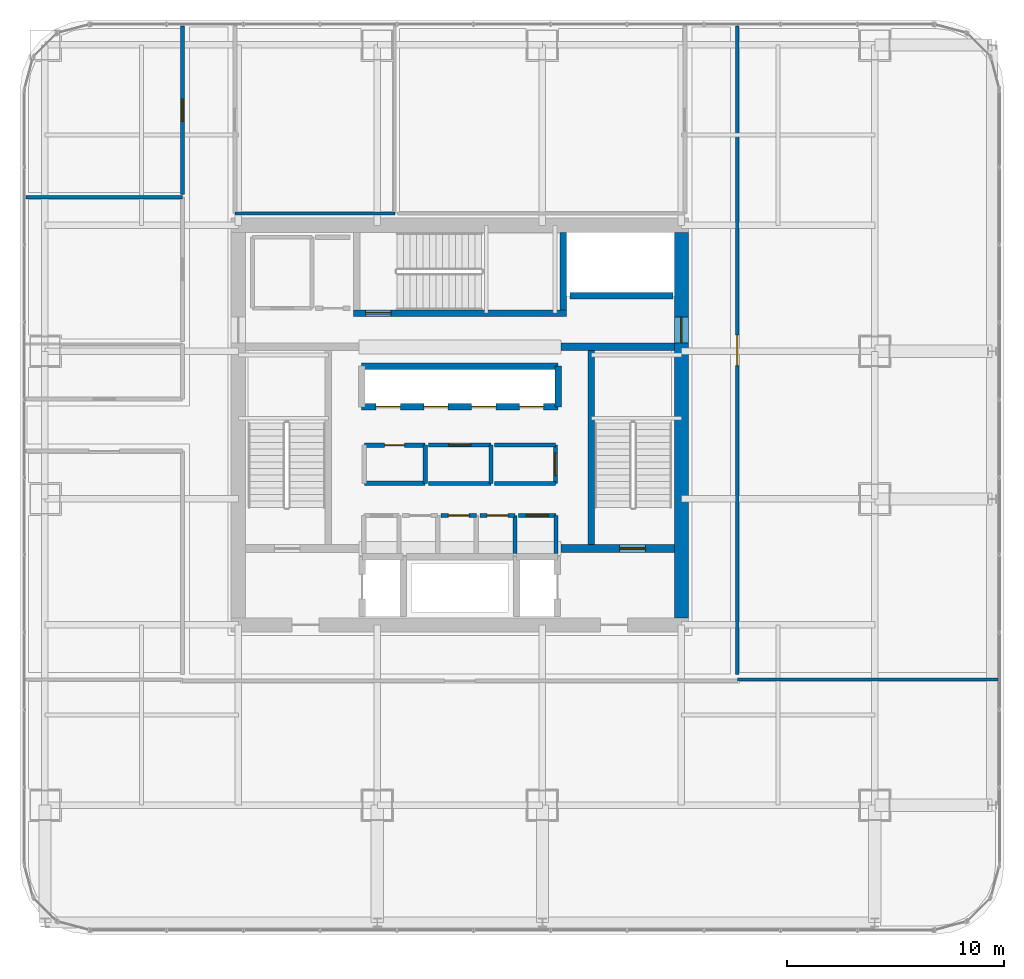
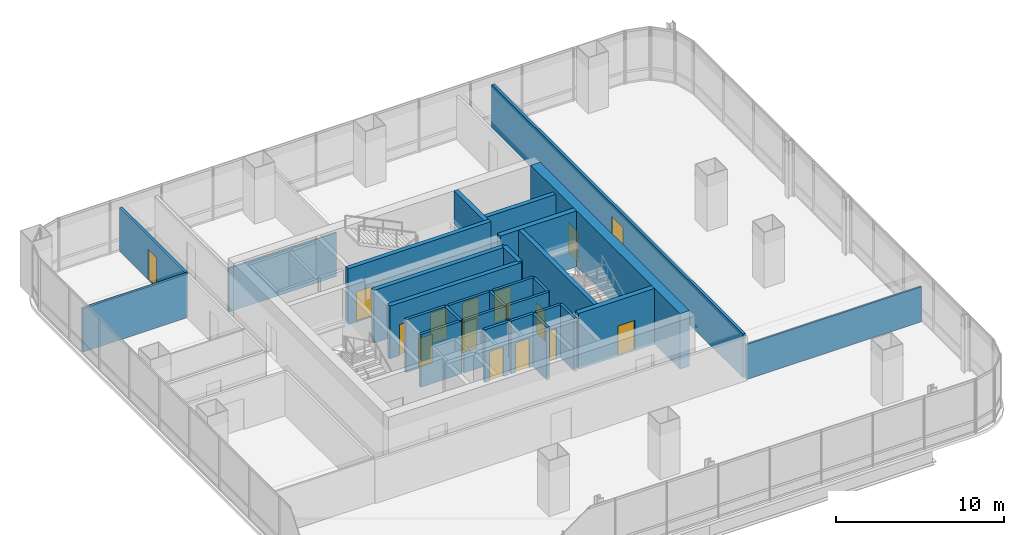
# One storey, part 30 of 36: 29 walls, 15 doors, 15 openings.
"""IFC4 building model written with IfcOpenShell, lengths in metres."""

from ifc_helpers import new_model, si_unit, direction, frame, frame_2d, origin, place, context, subcontext, project, spatial, rectangle, extrude, material, layer, layer_set, type_object, element, fill, save


model = new_model("IFC4")

# Units and contexts
model_context = context("Model", 3, precision=1e-05, world=origin(), true_north=direction((0.0, 1.0)))
body_context = subcontext(model_context, "Body", "Model", "MODEL_VIEW")
ifc_project = project(units=[si_unit("LENGTHUNIT", "METRE"), si_unit("AREAUNIT", "SQUARE_METRE"), si_unit("VOLUMEUNIT", "CUBIC_METRE"), si_unit("PLANEANGLEUNIT", "RADIAN"), si_unit("MASSUNIT", "GRAM", prefix="KILO")], contexts=[model_context])

# Site, building, storey
site_placement = place(None, origin())
site = spatial("IfcSite", under=ifc_project, at=site_placement, CompositionType="ELEMENT")
building_placement = place(site_placement, origin())
building = spatial("IfcBuilding", under=site, at=building_placement, Name="Punatoya Terracotta Tower", CompositionType="ELEMENT")
storey_placement = place(building_placement, frame((0.0, 0.0, 212.699951171875)))
storey = spatial("IfcBuildingStorey", under=building, at=storey_placement, Name="L50", CompositionType="ELEMENT", Elevation=212.699951171875)

# Wall, opening, door
ifc_material_1 = material(Name="Concrete C60/75", Category="concrete")
ifc_layer_1 = layer(ifc_material_1, 0.64990234375)
ifc_layer_set_1 = layer_set([ifc_layer_1], Name="Concrete C60/75")
wall_type_1 = type_object("IfcWallType", Name="WL-COR-650", PredefinedType="SHEAR", material=ifc_layer_set_1)
wall_1_placement = place(storey_placement, frame((10.199951171875, 8.875, 0.0), z_axis=(0.0, 0.0, 1.0), x_axis=(0.0, -1.0, 0.0)))
wall_1 = element("IfcWall", 1, at=wall_1_placement, inside=storey, type_object=wall_type_1, Name="L50 Core Shear Wall E", PredefinedType="SHEAR", context=body_context, shape_type="SweptSolid", body=[
    extrude(rectangle(XDim=17.75, YDim=0.64990234375, at=frame_2d((8.875, 0.0))), origin(), (0.0, 0.0, 1.0), 4.050048828125),
])
opening_1_placement = place(wall_1_placement, frame((3.905029296875, 0.0, 0.0)))
opening_1 = element("IfcOpeningElement", 2, at=opening_1_placement, cuts=wall_1, Name="Opening SD-01", PredefinedType="OPENING", context=body_context, shape_type="SweptSolid", body=[
    extrude(rectangle(XDim=1.179931640625, YDim=2.199951171875, at=frame_2d((0.58984375, 1.10009765625))), frame((0.0, 0.3349609375, 0.0), z_axis=(0.0, -1.0, 0.0), x_axis=(1.0, 0.0, 0.0)), (0.0, 0.0, 1.0), 0.669921875),
])
ifc_material_2 = material(Name="Galvanised Steel Pressurized Stair Fire Door", Category="steel")
door_type_1 = type_object("IfcDoorType", Name="DR-STR-1180", OperationType="NOTDEFINED", PredefinedType="DOOR", material=ifc_material_2)
door_1_placement = place(opening_1_placement, origin())
door_1 = element("IfcDoor", 3, at=door_1_placement, inside=storey, type_object=door_type_1, Name="L50 Central Lift Lobby East Fire Door", OperationType="SINGLE_SWING_RIGHT", OverallHeight=2.199951171875, OverallWidth=1.179931640625, PredefinedType="DOOR", context=body_context, shape_type="SweptSolid", body=[
    extrude(rectangle(XDim=1.179931640625, YDim=2.199951171875, at=frame_2d((0.58984375, 1.10009765625))), frame((0.0, 0.02490234375, 0.0), z_axis=(0.0, -1.0, 0.0), x_axis=(1.0, 0.0, 0.0)), (0.0, 0.0, 1.0), 0.050048828125),
])
fill(opening_1, door_1)

# Wall
ifc_material_3 = material(Name="Gypsum Fireboard + Steel Stud", Category="steel")
ifc_layer_2 = layer(ifc_material_3, 0.179931640625)
ifc_layer_set_2 = layer_set([ifc_layer_2], Name="Gypsum Fireboard + Steel Stud")
wall_type_2 = type_object("IfcWallType", Name="WL-CORR-180", PredefinedType="PARTITIONING", material=ifc_layer_set_2)
wall_2_placement = place(storey_placement, frame((4.419921875, -5.89990234375, 0.0), z_axis=(0.0, 0.0, 1.0), x_axis=(0.0, 1.0, 0.0)))
element("IfcWall", 4, at=wall_2_placement, inside=storey, type_object=wall_type_2, Name="L50 Core Focus Booth Partition 10", PredefinedType="PARTITIONING", context=body_context, shape_type="SweptSolid", body=[
    extrude(rectangle(XDim=1.739990234375, YDim=0.179931640625, at=frame_2d((0.8701171875, 0.0))), origin(), (0.0, 0.0, 1.0), 3.830078125),
])

# Wall, opening, door
wall_3_placement = place(storey_placement, frame((4.419921875, -4.159912109375, 0.0), z_axis=(0.0, 0.0, 1.0), x_axis=(-1.0, 0.0, 0.0)))
wall_3 = element("IfcWall", 5, at=wall_3_placement, inside=storey, type_object=wall_type_2, Name="L50 Core Focus Booth Partition 11", PredefinedType="PARTITIONING", context=body_context, shape_type="SweptSolid", body=[
    extrude(rectangle(XDim=1.719970703125, YDim=0.179931640625, at=frame_2d((0.85986328125, 0.0))), origin(), (0.0, 0.0, 1.0), 3.830078125),
])
opening_2_placement = place(wall_3_placement, frame((0.35009765625, 0.0, 0.0)))
opening_2 = element("IfcOpeningElement", 6, at=opening_2_placement, cuts=wall_3, Name="Opening MD-01", PredefinedType="OPENING", context=body_context, shape_type="SweptSolid", body=[
    extrude(rectangle(XDim=1.02001953125, YDim=2.199951171875, at=frame_2d((0.510009765625, 1.10009765625))), frame((0.0, 0.099853515625, 0.0), z_axis=(0.0, -1.0, 0.0), x_axis=(1.0, 0.0, 0.0)), (0.0, 0.0, 1.0), 0.199951171875),
])
ifc_material_4 = material(Name="Aluminium + Acoustic Glass Leaf", Category="aluminium")
door_type_2 = type_object("IfcDoorType", Name="DR-MTG-1020", OperationType="NOTDEFINED", PredefinedType="DOOR", material=ifc_material_4)
door_2_placement = place(opening_2_placement, origin())
door_2 = element("IfcDoor", 7, at=door_2_placement, inside=storey, type_object=door_type_2, Name="L50 Focus Booth Door", OperationType="SINGLE_SWING_RIGHT", OverallHeight=2.199951171875, OverallWidth=1.02001953125, PredefinedType="DOOR", context=body_context, shape_type="SweptSolid", body=[
    extrude(rectangle(XDim=1.02001953125, YDim=2.199951171875, at=frame_2d((0.510009765625, 1.10009765625))), frame((0.0, 0.02490234375, 0.0), z_axis=(0.0, -1.0, 0.0), x_axis=(1.0, 0.0, 0.0)), (0.0, 0.0, 1.0), 0.050048828125),
])
fill(opening_2, door_2)

# Wall
wall_4_placement = place(storey_placement, frame((1.43994140625, -2.679931640625, 0.0), z_axis=(0.0, 0.0, 1.0), x_axis=(0.0, 1.0, 0.0)))
element("IfcWall", 8, at=wall_4_placement, inside=storey, type_object=wall_type_2, Name="L50 Center Core Briefing Pod Partition 16", PredefinedType="PARTITIONING", context=body_context, shape_type="SweptSolid", body=[
    extrude(rectangle(XDim=1.760009765625, YDim=0.179931640625, at=frame_2d((0.8798828125, 0.0))), origin(), (0.0, 0.0, 1.0), 3.830078125),
])

# Wall, opening, door
wall_5_placement = place(storey_placement, frame((1.43994140625, -0.919921875, 0.0), z_axis=(0.0, 0.0, 1.0), x_axis=(-1.0, 0.0, 0.0)))
wall_5 = element("IfcWall", 9, at=wall_5_placement, inside=storey, type_object=wall_type_2, Name="L50 Center Core Briefing Pod Partition 17", PredefinedType="PARTITIONING", context=body_context, shape_type="SweptSolid", body=[
    extrude(rectangle(XDim=2.8798828125, YDim=0.179931640625, at=frame_2d((1.43994140625, 0.0))), origin(), (0.0, 0.0, 1.0), 3.830078125),
])
opening_3_placement = place(wall_5_placement, frame((0.929931640625, 0.0, 0.0)))
opening_3 = element("IfcOpeningElement", 10, at=opening_3_placement, cuts=wall_5, Name="Opening MD-01", PredefinedType="OPENING", context=body_context, shape_type="SweptSolid", body=[
    extrude(rectangle(XDim=1.02001953125, YDim=2.199951171875, at=frame_2d((0.510009765625, 1.10009765625))), frame((0.0, 0.099853515625, 0.0), z_axis=(0.0, -1.0, 0.0), x_axis=(1.0, 0.0, 0.0)), (0.0, 0.0, 1.0), 0.199951171875),
])
door_3_placement = place(opening_3_placement, origin())
door_3 = element("IfcDoor", 11, at=door_3_placement, inside=storey, type_object=door_type_2, Name="L50 Center Briefing Pod Door", OperationType="SINGLE_SWING_RIGHT", OverallHeight=2.199951171875, OverallWidth=1.02001953125, PredefinedType="DOOR", context=body_context, shape_type="SweptSolid", body=[
    extrude(rectangle(XDim=1.02001953125, YDim=2.199951171875, at=frame_2d((0.510009765625, 1.10009765625))), frame((0.0, 0.02490234375, 0.0), z_axis=(0.0, -1.0, 0.0), x_axis=(1.0, 0.0, 0.0)), (0.0, 0.0, 1.0), 0.050048828125),
])
fill(opening_3, door_3)

# Wall
wall_6_placement = place(storey_placement, frame((-1.43994140625, -2.679931640625, 0.0), z_axis=(0.0, 0.0, 1.0), x_axis=(1.0, 0.0, 0.0)))
element("IfcWall", 12, at=wall_6_placement, inside=storey, type_object=wall_type_2, Name="L50 Center Core Briefing Pod Partition 18", PredefinedType="PARTITIONING", context=body_context, shape_type="SweptSolid", body=[
    extrude(rectangle(XDim=2.8798828125, YDim=0.179931640625, at=frame_2d((1.43994140625, 0.0))), origin(), (0.0, 0.0, 1.0), 3.830078125),
])

# Wall, opening, door
wall_7_placement = place(storey_placement, frame((4.39990234375, -2.679931640625, 0.0), z_axis=(0.0, 0.0, 1.0), x_axis=(0.0, 1.0, 0.0)))
wall_7 = element("IfcWall", 13, at=wall_7_placement, inside=storey, type_object=wall_type_2, Name="L50 Right Core Copy Room Partition 19", PredefinedType="PARTITIONING", context=body_context, shape_type="SweptSolid", body=[
    extrude(rectangle(XDim=1.760009765625, YDim=0.179931640625, at=frame_2d((0.8798828125, 0.0))), origin(), (0.0, 0.0, 1.0), 3.830078125),
])
opening_4_placement = place(wall_7_placement, frame((0.35498046875, 0.0, 0.0)))
opening_4 = element("IfcOpeningElement", 14, at=opening_4_placement, cuts=wall_7, Name="Opening OD-01", PredefinedType="OPENING", context=body_context, shape_type="SweptSolid", body=[
    extrude(rectangle(XDim=1.050048828125, YDim=2.199951171875, at=frame_2d((0.52490234375, 1.10009765625))), frame((0.0, 0.099853515625, 0.0), z_axis=(0.0, -1.0, 0.0), x_axis=(1.0, 0.0, 0.0)), (0.0, 0.0, 1.0), 0.199951171875),
])
ifc_material_5 = material(Name="Bengal Teak Solid-Core Leaf")
door_type_3 = type_object("IfcDoorType", Name="DR-OFF-1050", OperationType="NOTDEFINED", PredefinedType="DOOR", material=ifc_material_5)
door_4_placement = place(opening_4_placement, origin())
door_4 = element("IfcDoor", 15, at=door_4_placement, inside=storey, type_object=door_type_3, Name="L50 Right Copy Room Door", OperationType="SINGLE_SWING_LEFT", OverallHeight=2.199951171875, OverallWidth=1.050048828125, PredefinedType="DOOR", context=body_context, shape_type="SweptSolid", body=[
    extrude(rectangle(XDim=1.050048828125, YDim=2.199951171875, at=frame_2d((0.52490234375, 1.10009765625))), frame((0.0, 0.02490234375, 0.0), z_axis=(0.0, -1.0, 0.0), x_axis=(1.0, 0.0, 0.0)), (0.0, 0.0, 1.0), 0.050048828125),
])
fill(opening_4, door_4)

# Walls
for number, where, z_axis, x_axis, name in (
    (16, (4.39990234375, -0.919921875, 0.0), (0.0, 0.0, 1.0), (-1.0, 0.0, 0.0), "L50 Right Core Copy Room Partition 20"),
    (17, (1.60009765625, -2.679931640625, 0.0), (0.0, 0.0, 1.0), (1.0, 0.0, 0.0), "L50 Right Core Copy Room Partition 21"),
):
    element("IfcWall", number, at=place(storey_placement, frame(where, z_axis=z_axis, x_axis=x_axis)), inside=storey, type_object=wall_type_2, Name=name, PredefinedType="PARTITIONING", context=body_context, shape_type="SweptSolid", body=[
        extrude(rectangle(XDim=2.7998046875, YDim=0.179931640625, at=frame_2d((1.39990234375, 0.0))), origin(), (0.0, 0.0, 1.0), 3.830078125),
    ])

# Wall, opening, door
wall_8_placement = place(storey_placement, frame((12.77001953125, -11.489990234375, 0.0), z_axis=(0.0, 0.0, 1.0), x_axis=(0.0, 1.0, 0.0)))
wall_8 = element("IfcWall", 18, at=wall_8_placement, inside=storey, type_object=wall_type_2, Name="L50 Executive Briefing Room Partition 36", PredefinedType="PARTITIONING", context=body_context, shape_type="SweptSolid", body=[
    extrude(rectangle(XDim=29.860107421875, YDim=0.179931640625, at=frame_2d((14.93017578125, 0.0))), origin(), (0.0, 0.0, 1.0), 3.174072265625),
])
opening_5_placement = place(wall_8_placement, frame((14.22998046875, 0.0, 0.0)))
opening_5 = element("IfcOpeningElement", 19, at=opening_5_placement, cuts=wall_8, Name="Opening BD-01", PredefinedType="OPENING", context=body_context, shape_type="SweptSolid", body=[
    extrude(rectangle(XDim=1.39990234375, YDim=2.25, at=frame_2d((0.699951171875, 1.125))), frame((0.0, 0.099853515625, 0.0), z_axis=(0.0, -1.0, 0.0), x_axis=(1.0, 0.0, 0.0)), (0.0, 0.0, 1.0), 0.199951171875),
])
ifc_material_6 = material(Name="Bengal Teak Acoustic Leaf")
door_type_4 = type_object("IfcDoorType", Name="DR-BRD-1400", OperationType="NOTDEFINED", PredefinedType="DOOR", material=ifc_material_6)
door_5_placement = place(opening_5_placement, origin())
door_5 = element("IfcDoor", 20, at=door_5_placement, inside=storey, type_object=door_type_4, Name="L50 Executive Briefing Room Door", OperationType="SINGLE_SWING_LEFT", OverallHeight=2.25, OverallWidth=1.39990234375, PredefinedType="DOOR", context=body_context, shape_type="SweptSolid", body=[
    extrude(rectangle(XDim=1.39990234375, YDim=2.25, at=frame_2d((0.699951171875, 1.125))), frame((0.0, 0.02490234375, 0.0), z_axis=(0.0, -1.0, 0.0), x_axis=(1.0, 0.0, 0.0)), (0.0, 0.0, 1.0), 0.050048828125),
])
fill(opening_5, door_5)

wall_9_placement = place(storey_placement, frame((-12.77001953125, 18.3701171875, 0.0), z_axis=(0.0, 0.0, 1.0), x_axis=(0.0, -1.0, 0.0)))
wall_9 = element("IfcWall", 21, at=wall_9_placement, inside=storey, type_object=wall_type_2, Name="L50 Open-Plan Case-Study Classroom Partition 44", PredefinedType="PARTITIONING", context=body_context, shape_type="SweptSolid", body=[
    extrude(rectangle(XDim=7.756103515625, YDim=0.179931640625, at=frame_2d((3.8779296875, 0.0))), origin(), (0.0, 0.0, 1.0), 3.174072265625),
])
opening_6_placement = place(wall_9_placement, frame((3.367919921875, 0.0, 0.0)))
opening_6 = element("IfcOpeningElement", 22, at=opening_6_placement, cuts=wall_9, Name="Opening MD-01", PredefinedType="OPENING", context=body_context, shape_type="SweptSolid", body=[
    extrude(rectangle(XDim=1.02001953125, YDim=2.199951171875, at=frame_2d((0.510009765625, 1.10009765625))), frame((0.0, 0.099853515625, 0.0), z_axis=(0.0, -1.0, 0.0), x_axis=(1.0, 0.0, 0.0)), (0.0, 0.0, 1.0), 0.199951171875),
])
door_6_placement = place(opening_6_placement, origin())
door_6 = element("IfcDoor", 23, at=door_6_placement, inside=storey, type_object=door_type_2, Name="L50 Open-Plan Case-Study Classroom Door", OperationType="SINGLE_SWING_LEFT", OverallHeight=2.199951171875, OverallWidth=1.02001953125, PredefinedType="DOOR", context=body_context, shape_type="SweptSolid", body=[
    extrude(rectangle(XDim=1.02001953125, YDim=2.199951171875, at=frame_2d((0.510009765625, 1.10009765625))), frame((0.0, 0.02490234375, 0.0), z_axis=(0.0, -1.0, 0.0), x_axis=(1.0, 0.0, 0.0)), (0.0, 0.0, 1.0), 0.050048828125),
])
fill(opening_6, door_6)

ifc_material_7 = material(Name="Concrete C40/50", Category="concrete")
ifc_layer_3 = layer(ifc_material_7, 0.199951171875)
ifc_layer_set_3 = layer_set([ifc_layer_3], Name="Concrete C40/50")
wall_type_3 = type_object("IfcWallType", Name="WL-INT-200", PredefinedType="SOLIDWALL", material=ifc_layer_set_3)
wall_10_placement = place(storey_placement, frame((0.760009765625, -4.159912109375, 0.0), z_axis=(0.0, 0.0, 1.0), x_axis=(-1.0, 0.0, 0.0)))
wall_10 = element("IfcWall", 24, at=wall_10_placement, inside=storey, type_object=wall_type_3, Name="L50 Female Washroom Partition 07", PredefinedType="SOLIDWALL", context=body_context, shape_type="SweptSolid", body=[
    extrude(rectangle(XDim=1.6201171875, YDim=0.199951171875, at=frame_2d((0.81005859375, 0.0))), origin(), (0.0, 0.0, 1.0), 3.830078125),
])
opening_7_placement = place(wall_10_placement, frame((0.3349609375, 0.0, 0.0)))
opening_7 = element("IfcOpeningElement", 25, at=opening_7_placement, cuts=wall_10, Name="Opening WD-01", PredefinedType="OPENING", context=body_context, shape_type="SweptSolid", body=[
    extrude(rectangle(XDim=0.949951171875, YDim=2.14990234375, at=frame_2d((0.47509765625, 1.074951171875))), frame((0.0, 0.10986328125, 0.0), z_axis=(0.0, -1.0, 0.0), x_axis=(1.0, 0.0, 0.0)), (0.0, 0.0, 1.0), 0.219970703125),
])
ifc_material_8 = material(Name="Moisture-Resistant Laminate Timber Leaf", Category="wood")
door_type_5 = type_object("IfcDoorType", Name="DR-WC-950", OperationType="NOTDEFINED", PredefinedType="DOOR", material=ifc_material_8)
door_7_placement = place(opening_7_placement, origin())
door_7 = element("IfcDoor", 26, at=door_7_placement, inside=storey, type_object=door_type_5, Name="L50 Female Washroom Door", OperationType="SINGLE_SWING_RIGHT", OverallHeight=2.14990234375, OverallWidth=0.949951171875, PredefinedType="DOOR", context=body_context, shape_type="SweptSolid", body=[
    extrude(rectangle(XDim=0.949951171875, YDim=2.14990234375, at=frame_2d((0.47509765625, 1.074951171875))), frame((0.0, 0.02490234375, 0.0), z_axis=(0.0, -1.0, 0.0), x_axis=(1.0, 0.0, 0.0)), (0.0, 0.0, 1.0), 0.050048828125),
])
fill(opening_7, door_7)

# Wall
wall_11_placement = place(storey_placement, frame((2.5400390625, -5.89990234375, 0.0), z_axis=(0.0, 0.0, 1.0), x_axis=(0.0, 1.0, 0.0)))
element("IfcWall", 27, at=wall_11_placement, inside=storey, type_object=wall_type_3, Name="L50 Male Washroom Partition 08", PredefinedType="SOLIDWALL", context=body_context, shape_type="SweptSolid", body=[
    extrude(rectangle(XDim=1.739990234375, YDim=0.199951171875, at=frame_2d((0.8701171875, 0.0))), origin(), (0.0, 0.0, 1.0), 3.830078125),
])

# Wall, opening, door
wall_12_placement = place(storey_placement, frame((2.5400390625, -4.159912109375, 0.0), z_axis=(0.0, 0.0, 1.0), x_axis=(-1.0, 0.0, 0.0)))
wall_12 = element("IfcWall", 28, at=wall_12_placement, inside=storey, type_object=wall_type_3, Name="L50 Male Washroom Partition 09", PredefinedType="SOLIDWALL", context=body_context, shape_type="SweptSolid", body=[
    extrude(rectangle(XDim=1.6201171875, YDim=0.199951171875, at=frame_2d((0.81005859375, 0.0))), origin(), (0.0, 0.0, 1.0), 3.830078125),
])
opening_8_placement = place(wall_12_placement, frame((0.3349609375, 0.0, 0.0)))
opening_8 = element("IfcOpeningElement", 29, at=opening_8_placement, cuts=wall_12, Name="Opening WD-01", PredefinedType="OPENING", context=body_context, shape_type="SweptSolid", body=[
    extrude(rectangle(XDim=0.949951171875, YDim=2.14990234375, at=frame_2d((0.47509765625, 1.074951171875))), frame((0.0, 0.10986328125, 0.0), z_axis=(0.0, -1.0, 0.0), x_axis=(1.0, 0.0, 0.0)), (0.0, 0.0, 1.0), 0.219970703125),
])
door_8_placement = place(opening_8_placement, origin())
door_8 = element("IfcDoor", 30, at=door_8_placement, inside=storey, type_object=door_type_5, Name="L50 Male Washroom Door", OperationType="SINGLE_SWING_LEFT", OverallHeight=2.14990234375, OverallWidth=0.949951171875, PredefinedType="DOOR", context=body_context, shape_type="SweptSolid", body=[
    extrude(rectangle(XDim=0.949951171875, YDim=2.14990234375, at=frame_2d((0.47509765625, 1.074951171875))), frame((0.0, 0.02490234375, 0.0), z_axis=(0.0, -1.0, 0.0), x_axis=(1.0, 0.0, 0.0)), (0.0, 0.0, 1.0), 0.050048828125),
])
fill(opening_8, door_8)

# Wall
wall_13_placement = place(storey_placement, frame((-1.60009765625, -2.679931640625, 0.0), z_axis=(0.0, 0.0, 1.0), x_axis=(0.0, 1.0, 0.0)))
element("IfcWall", 31, at=wall_13_placement, inside=storey, type_object=wall_type_3, Name="L50 Left Core Store Partition 12", PredefinedType="SOLIDWALL", context=body_context, shape_type="SweptSolid", body=[
    extrude(rectangle(XDim=1.760009765625, YDim=0.199951171875, at=frame_2d((0.8798828125, 0.0))), origin(), (0.0, 0.0, 1.0), 3.830078125),
])

# Wall, opening, door
wall_14_placement = place(storey_placement, frame((-1.60009765625, -0.919921875, 0.0), z_axis=(0.0, 0.0, 1.0), x_axis=(-1.0, 0.0, 0.0)))
wall_14 = element("IfcWall", 32, at=wall_14_placement, inside=storey, type_object=wall_type_3, Name="L50 Left Core Store Partition 13", PredefinedType="SOLIDWALL", context=body_context, shape_type="SweptSolid", body=[
    extrude(rectangle(XDim=2.7998046875, YDim=0.199951171875, at=frame_2d((1.39990234375, 0.0))), origin(), (0.0, 0.0, 1.0), 3.830078125),
])
opening_9_placement = place(wall_14_placement, frame((0.93994140625, 0.0, 0.0)))
opening_9 = element("IfcOpeningElement", 33, at=opening_9_placement, cuts=wall_14, Name="Opening FD-R1", PredefinedType="OPENING", context=body_context, shape_type="SweptSolid", body=[
    extrude(rectangle(XDim=0.919921875, YDim=2.10009765625, at=frame_2d((0.4599609375, 1.050048828125))), frame((0.0, 0.10986328125, 0.0), z_axis=(0.0, -1.0, 0.0), x_axis=(1.0, 0.0, 0.0)), (0.0, 0.0, 1.0), 0.219970703125),
])
ifc_material_9 = material(Name="Galvanised Steel Riser Fire Access Door", Category="steel")
door_type_6 = type_object("IfcDoorType", Name="DR-RSR-920", OperationType="NOTDEFINED", PredefinedType="DOOR", material=ifc_material_9)
door_9_placement = place(opening_9_placement, origin())
door_9 = element("IfcDoor", 34, at=door_9_placement, inside=storey, type_object=door_type_6, Name="L50 Left Core Store Fire Door", OperationType="SINGLE_SWING_LEFT", OverallHeight=2.10009765625, OverallWidth=0.919921875, PredefinedType="DOOR", context=body_context, shape_type="SweptSolid", body=[
    extrude(rectangle(XDim=0.919921875, YDim=2.10009765625, at=frame_2d((0.4599609375, 1.050048828125))), frame((0.0, 0.02490234375, 0.0), z_axis=(0.0, -1.0, 0.0), x_axis=(1.0, 0.0, 0.0)), (0.0, 0.0, 1.0), 0.050048828125),
])
fill(opening_9, door_9)

# Walls
wall_15_placement = place(storey_placement, frame((-4.39990234375, -2.679931640625, 0.0), z_axis=(0.0, 0.0, 1.0), x_axis=(1.0, 0.0, 0.0)))
element("IfcWall", 35, at=wall_15_placement, inside=storey, type_object=wall_type_3, Name="L50 Left Core Store Partition 15", PredefinedType="SOLIDWALL", context=body_context, shape_type="SweptSolid", body=[
    extrude(rectangle(XDim=2.7998046875, YDim=0.199951171875, at=frame_2d((1.39990234375, 0.0))), origin(), (0.0, 0.0, 1.0), 3.830078125),
])
ifc_material_10 = material(Name="Gypsum Partition + Steel Stud", Category="steel")
ifc_layer_4 = layer(ifc_material_10, 0.1201171875)
ifc_layer_set_4 = layer_set([ifc_layer_4], Name="Gypsum Partition + Steel Stud")
wall_type_4 = type_object("IfcWallType", Name="WL-OFF-120", PredefinedType="PARTITIONING", material=ifc_layer_set_4)
wall_16_placement = place(storey_placement, frame((12.77001953125, -11.7099609375, 0.0), z_axis=(0.0, 0.0, 1.0), x_axis=(1.0, 0.0, 0.0)))
element("IfcWall", 36, at=wall_16_placement, inside=storey, type_object=wall_type_4, Name="L50 Plenary Seminar Room Partition 30", PredefinedType="PARTITIONING", context=body_context, shape_type="SweptSolid", body=[
    extrude(rectangle(XDim=12.0, YDim=0.1201171875, at=frame_2d((6.0, 0.0))), origin(), (0.0, 0.0, 1.0), 2.5439453125),
])
wall_17_placement = place(storey_placement, frame((-2.993896484375, 9.739990234375, 0.0), z_axis=(0.0, 0.0, 1.0), x_axis=(-1.0, 0.0, 0.0)))
element("IfcWall", 37, at=wall_17_placement, inside=storey, type_object=wall_type_4, Name="L50 Open-Plan Delegate Reception Lounge Partition 40", PredefinedType="PARTITIONING", context=body_context, shape_type="SweptSolid", body=[
    extrude(rectangle(XDim=7.3662109375, YDim=0.1201171875, at=frame_2d((3.68310546875, 0.0))), origin(), (0.0, 0.0, 1.0), 3.174072265625),
])
ifc_layer_5 = layer(ifc_material_7, 0.300048828125)
ifc_layer_set_5 = layer_set([ifc_layer_5], Name="Concrete C40/50")
wall_type_5 = type_object("IfcWallType", Name="WL-SHF-300", PredefinedType="SOLIDWALL", material=ifc_layer_set_5)
wall_18_placement = place(storey_placement, frame((6.050048828125, 3.449951171875, 0.0), z_axis=(0.0, 0.0, 1.0), x_axis=(0.0, -1.0, 0.0)))
element("IfcWall", 38, at=wall_18_placement, inside=storey, type_object=wall_type_5, Name="L50 Structural Stair Shaft Wall SW-ST2-W", PredefinedType="SOLIDWALL", context=body_context, shape_type="SweptSolid", body=[
    extrude(rectangle(XDim=8.949951171875, YDim=0.300048828125, at=frame_2d((4.47509765625, 0.0))), origin(), (0.0, 0.0, 1.0), 4.050048828125),
])
wall_19_placement = place(storey_placement, frame((4.75, 8.875, 0.0), z_axis=(0.0, 0.0, 1.0), x_axis=(0.0, -1.0, 0.0)))
element("IfcWall", 39, at=wall_19_placement, inside=storey, type_object=wall_type_5, Name="L50 Structural Stair Shaft Wall SW-ST3-E", PredefinedType="SOLIDWALL", context=body_context, shape_type="SweptSolid", body=[
    extrude(rectangle(XDim=3.574951171875, YDim=0.300048828125, at=frame_2d((1.78759765625, 0.0))), origin(), (0.0, 0.0, 1.0), 4.050048828125),
])

# Wall, opening, door
wall_20_placement = place(storey_placement, frame((-4.89990234375, 5.14990234375, 0.0), z_axis=(0.0, 0.0, 1.0), x_axis=(1.0, 0.0, 0.0)))
wall_20 = element("IfcWall", 40, at=wall_20_placement, inside=storey, type_object=wall_type_5, Name="L50 Structural Stair Shaft Wall SW-ST3-S", PredefinedType="SOLIDWALL", context=body_context, shape_type="SweptSolid", body=[
    extrude(rectangle(XDim=9.7998046875, YDim=0.300048828125, at=frame_2d((4.89990234375, 0.0))), origin(), (0.0, 0.0, 1.0), 4.050048828125),
])
opening_10_placement = place(wall_20_placement, frame((0.56005859375, 0.0, 0.0)))
opening_10 = element("IfcOpeningElement", 41, at=opening_10_placement, cuts=wall_20, Name="Opening SD-01", PredefinedType="OPENING", context=body_context, shape_type="SweptSolid", body=[
    extrude(rectangle(XDim=1.179931640625, YDim=2.199951171875, at=frame_2d((0.58984375, 1.10009765625))), frame((0.0, 0.159912109375, 0.0), z_axis=(0.0, -1.0, 0.0), x_axis=(1.0, 0.0, 0.0)), (0.0, 0.0, 1.0), 0.320068359375),
])
door_10_placement = place(opening_10_placement, origin())
door_10 = element("IfcDoor", 42, at=door_10_placement, inside=storey, type_object=door_type_1, Name="L50 Stair ST-3 Core Lobby Fire Door", OperationType="SINGLE_SWING_LEFT", OverallHeight=2.199951171875, OverallWidth=1.179931640625, PredefinedType="DOOR", context=body_context, shape_type="SweptSolid", body=[
    extrude(rectangle(XDim=1.179931640625, YDim=2.199951171875, at=frame_2d((0.58984375, 1.10009765625))), frame((0.0, 0.02490234375, 0.0), z_axis=(0.0, -1.0, 0.0), x_axis=(1.0, 0.0, 0.0)), (0.0, 0.0, 1.0), 0.050048828125),
])
fill(opening_10, door_10)

# Wall, openings, doors
wall_21_placement = place(storey_placement, frame((-4.52001953125, 0.840087890625, 0.0), z_axis=(0.0, 0.0, 1.0), x_axis=(1.0, 0.0, 0.0)))
wall_21 = element("IfcWall", 43, at=wall_21_placement, inside=storey, type_object=wall_type_5, Name="L50 North Lift Bank Front Shaft Wall", PredefinedType="SOLIDWALL", context=body_context, shape_type="SweptSolid", body=[
    extrude(rectangle(XDim=9.0400390625, YDim=0.300048828125, at=frame_2d((4.52001953125, 0.0))), origin(), (0.0, 0.0, 1.0), 3.830078125),
])
opening_11_placement = place(wall_21_placement, frame((0.659912109375, 0.0, 0.0)))
opening_11 = element("IfcOpeningElement", 44, at=opening_11_placement, cuts=wall_21, Name="Opening LD-02", PredefinedType="OPENING", context=body_context, shape_type="SweptSolid", body=[
    extrude(rectangle(XDim=1.1201171875, YDim=2.25, at=frame_2d((0.56005859375, 1.125))), frame((0.0, 0.159912109375, 0.0), z_axis=(0.0, -1.0, 0.0), x_axis=(1.0, 0.0, 0.0)), (0.0, 0.0, 1.0), 0.320068359375),
])
opening_12_placement = place(wall_21_placement, frame((2.860107421875, 0.0, 0.0)))
opening_12 = element("IfcOpeningElement", 45, at=opening_12_placement, cuts=wall_21, Name="Opening LD-02", PredefinedType="OPENING", context=body_context, shape_type="SweptSolid", body=[
    extrude(rectangle(XDim=1.1201171875, YDim=2.25, at=frame_2d((0.56005859375, 1.125))), frame((0.0, 0.159912109375, 0.0), z_axis=(0.0, -1.0, 0.0), x_axis=(1.0, 0.0, 0.0)), (0.0, 0.0, 1.0), 0.320068359375),
])
opening_13_placement = place(wall_21_placement, frame((5.06005859375, 0.0, 0.0)))
opening_13 = element("IfcOpeningElement", 46, at=opening_13_placement, cuts=wall_21, Name="Opening LD-02", PredefinedType="OPENING", context=body_context, shape_type="SweptSolid", body=[
    extrude(rectangle(XDim=1.1201171875, YDim=2.25, at=frame_2d((0.56005859375, 1.125))), frame((0.0, 0.159912109375, 0.0), z_axis=(0.0, -1.0, 0.0), x_axis=(1.0, 0.0, 0.0)), (0.0, 0.0, 1.0), 0.320068359375),
])
opening_14_placement = place(wall_21_placement, frame((7.260009765625, 0.0, 0.0)))
opening_14 = element("IfcOpeningElement", 47, at=opening_14_placement, cuts=wall_21, Name="Opening LD-02", PredefinedType="OPENING", context=body_context, shape_type="SweptSolid", body=[
    extrude(rectangle(XDim=1.1201171875, YDim=2.25, at=frame_2d((0.56005859375, 1.125))), frame((0.0, 0.159912109375, 0.0), z_axis=(0.0, -1.0, 0.0), x_axis=(1.0, 0.0, 0.0)), (0.0, 0.0, 1.0), 0.320068359375),
])
ifc_material_11 = material(Name="Stainless Steel Lift Landing Door", Category="steel")
door_type_7 = type_object("IfcDoorType", Name="DR-LND-1120", OperationType="NOTDEFINED", PredefinedType="DOOR", material=ifc_material_11)
door_11_placement = place(opening_11_placement, origin())
door_11 = element("IfcDoor", 48, at=door_11_placement, inside=storey, type_object=door_type_7, Name="L50 Lift PL-M1 Sliding Landing Door", OperationType="DOUBLE_DOOR_SLIDING", OverallHeight=2.25, OverallWidth=1.1201171875, PredefinedType="DOOR", context=body_context, shape_type="SweptSolid", body=[
    extrude(rectangle(XDim=1.1201171875, YDim=2.25, at=frame_2d((0.56005859375, 1.125))), frame((0.0, 0.02490234375, 0.0), z_axis=(0.0, -1.0, 0.0), x_axis=(1.0, 0.0, 0.0)), (0.0, 0.0, 1.0), 0.050048828125),
])
fill(opening_11, door_11)
door_12_placement = place(opening_12_placement, origin())
door_12 = element("IfcDoor", 49, at=door_12_placement, inside=storey, type_object=door_type_7, Name="L50 Lift PL-M2 Sliding Landing Door", OperationType="DOUBLE_DOOR_SLIDING", OverallHeight=2.25, OverallWidth=1.1201171875, PredefinedType="DOOR", context=body_context, shape_type="SweptSolid", body=[
    extrude(rectangle(XDim=1.1201171875, YDim=2.25, at=frame_2d((0.56005859375, 1.125))), frame((0.0, 0.02490234375, 0.0), z_axis=(0.0, -1.0, 0.0), x_axis=(1.0, 0.0, 0.0)), (0.0, 0.0, 1.0), 0.050048828125),
])
fill(opening_12, door_12)
door_13_placement = place(opening_13_placement, origin())
door_13 = element("IfcDoor", 50, at=door_13_placement, inside=storey, type_object=door_type_7, Name="L50 Lift PL-M3 Sliding Landing Door", OperationType="DOUBLE_DOOR_SLIDING", OverallHeight=2.25, OverallWidth=1.1201171875, PredefinedType="DOOR", context=body_context, shape_type="SweptSolid", body=[
    extrude(rectangle(XDim=1.1201171875, YDim=2.25, at=frame_2d((0.56005859375, 1.125))), frame((0.0, 0.02490234375, 0.0), z_axis=(0.0, -1.0, 0.0), x_axis=(1.0, 0.0, 0.0)), (0.0, 0.0, 1.0), 0.050048828125),
])
fill(opening_13, door_13)
door_14_placement = place(opening_14_placement, origin())
door_14 = element("IfcDoor", 51, at=door_14_placement, inside=storey, type_object=door_type_7, Name="L50 Lift PL-M4 Sliding Landing Door", OperationType="DOUBLE_DOOR_SLIDING", OverallHeight=2.25, OverallWidth=1.1201171875, PredefinedType="DOOR", context=body_context, shape_type="SweptSolid", body=[
    extrude(rectangle(XDim=1.1201171875, YDim=2.25, at=frame_2d((0.56005859375, 1.125))), frame((0.0, 0.02490234375, 0.0), z_axis=(0.0, -1.0, 0.0), x_axis=(1.0, 0.0, 0.0)), (0.0, 0.0, 1.0), 0.050048828125),
])
fill(opening_14, door_14)

# Walls
wall_22_placement = place(storey_placement, frame((-4.52001953125, 2.719970703125, 0.0), z_axis=(0.0, 0.0, 1.0), x_axis=(1.0, 0.0, 0.0)))
element("IfcWall", 52, at=wall_22_placement, inside=storey, type_object=wall_type_5, Name="L50 North Lift Bank Rear Shaft Wall", PredefinedType="SOLIDWALL", context=body_context, shape_type="SweptSolid", body=[
    extrude(rectangle(XDim=9.0400390625, YDim=0.300048828125, at=frame_2d((4.52001953125, 0.0))), origin(), (0.0, 0.0, 1.0), 3.830078125),
])
wall_23_placement = place(storey_placement, frame((4.52001953125, 0.840087890625, 0.0), z_axis=(0.0, 0.0, 1.0), x_axis=(0.0, 1.0, 0.0)))
element("IfcWall", 53, at=wall_23_placement, inside=storey, type_object=wall_type_5, Name="L50 North Lift Bank East End Wall", PredefinedType="SOLIDWALL", context=body_context, shape_type="SweptSolid", body=[
    extrude(rectangle(XDim=1.8798828125, YDim=0.300048828125, at=frame_2d((0.93994140625, 0.0))), origin(), (0.0, 0.0, 1.0), 3.830078125),
])
wall_24_placement = place(storey_placement, frame((5.06005859375, 5.949951171875, 0.0), z_axis=(0.0, 0.0, 1.0), x_axis=(1.0, 0.0, 0.0)))
element("IfcWall", 54, at=wall_24_placement, inside=storey, type_object=wall_type_5, Name="L50 Shuttle SL-2 South Hoistway Wall", PredefinedType="SOLIDWALL", context=body_context, shape_type="SweptSolid", body=[
    extrude(rectangle(XDim=4.760009765625, YDim=0.300048828125, at=frame_2d((2.3798828125, 0.0))), origin(), (0.0, 0.0, 1.0), 3.830078125),
])

# Wall, opening, door
ifc_material_12 = material(Name="Concrete C50/60", Category="concrete")
ifc_layer_6 = layer(ifc_material_12, 0.35009765625)
ifc_layer_set_6 = layer_set([ifc_layer_6], Name="Concrete C50/60")
wall_type_6 = type_object("IfcWallType", Name="WL-SHF-350", PredefinedType="SOLIDWALL", material=ifc_layer_set_6)
wall_25_placement = place(storey_placement, frame((4.64990234375, -5.679931640625, 0.0), z_axis=(0.0, 0.0, 1.0), x_axis=(1.0, 0.0, 0.0)))
wall_25 = element("IfcWall", 55, at=wall_25_placement, inside=storey, type_object=wall_type_6, Name="L50 Core Web Wall CSW-R", PredefinedType="SOLIDWALL", context=body_context, shape_type="SweptSolid", body=[
    extrude(rectangle(XDim=5.22509765625, YDim=0.35009765625, at=frame_2d((2.612548828125, 0.0))), origin(), (0.0, 0.0, 1.0), 4.050048828125),
])
opening_15_placement = place(wall_25_placement, frame((2.7099609375, 0.0, 0.0)))
opening_15 = element("IfcOpeningElement", 56, at=opening_15_placement, cuts=wall_25, Name="Opening SD-01", PredefinedType="OPENING", context=body_context, shape_type="SweptSolid", body=[
    extrude(rectangle(XDim=1.179931640625, YDim=2.199951171875, at=frame_2d((0.58984375, 1.10009765625))), frame((0.0, 0.18505859375, 0.0), z_axis=(0.0, -1.0, 0.0), x_axis=(1.0, 0.0, 0.0)), (0.0, 0.0, 1.0), 0.3701171875),
])
door_15_placement = place(opening_15_placement, origin())
door_15 = element("IfcDoor", 57, at=door_15_placement, inside=storey, type_object=door_type_1, Name="L50 Stair ST-2 Smokeproof Lobby Fire Door", OperationType="SINGLE_SWING_RIGHT", OverallHeight=2.199951171875, OverallWidth=1.179931640625, PredefinedType="DOOR", context=body_context, shape_type="SweptSolid", body=[
    extrude(rectangle(XDim=1.179931640625, YDim=2.199951171875, at=frame_2d((0.58984375, 1.10009765625))), frame((0.0, 0.02490234375, 0.0), z_axis=(0.0, -1.0, 0.0), x_axis=(1.0, 0.0, 0.0)), (0.0, 0.0, 1.0), 0.050048828125),
])
fill(opening_15, door_15)

# Walls
wall_26_placement = place(storey_placement, frame((4.64990234375, 3.60009765625, 0.0), z_axis=(0.0, 0.0, 1.0), x_axis=(1.0, 0.0, 0.0)))
element("IfcWall", 58, at=wall_26_placement, inside=storey, type_object=wall_type_6, Name="L50 Core Web Wall CNW-R", PredefinedType="SOLIDWALL", context=body_context, shape_type="SweptSolid", body=[
    extrude(rectangle(XDim=5.22509765625, YDim=0.35009765625, at=frame_2d((2.612548828125, 0.0))), origin(), (0.0, 0.0, 1.0), 4.050048828125),
])
ifc_material_13 = material(Name="Masonry Blockwork + Ceramic Tile", Category="masonry")
ifc_layer_7 = layer(ifc_material_13, 0.159912109375)
ifc_layer_set_7 = layer_set([ifc_layer_7], Name="Masonry Blockwork + Ceramic Tile")
wall_type_7 = type_object("IfcWallType", Name="WL-WET-160", PredefinedType="PARTITIONING", material=ifc_layer_set_7)
wall_27_placement = place(storey_placement, frame((-19.969970703125, 10.493896484375, 0.0), z_axis=(0.0, 0.0, 1.0), x_axis=(1.0, 0.0, 0.0)))
element("IfcWall", 59, at=wall_27_placement, inside=storey, type_object=wall_type_7, Name="L50 Breakout Tea Pantry Partition 37", PredefinedType="PARTITIONING", context=body_context, shape_type="SweptSolid", body=[
    extrude(rectangle(XDim=7.199951171875, YDim=0.159912109375, at=frame_2d((3.60009765625, 0.0))), origin(), (0.0, 0.0, 1.0), 3.174072265625),
])

save(model, "model.ifc")
